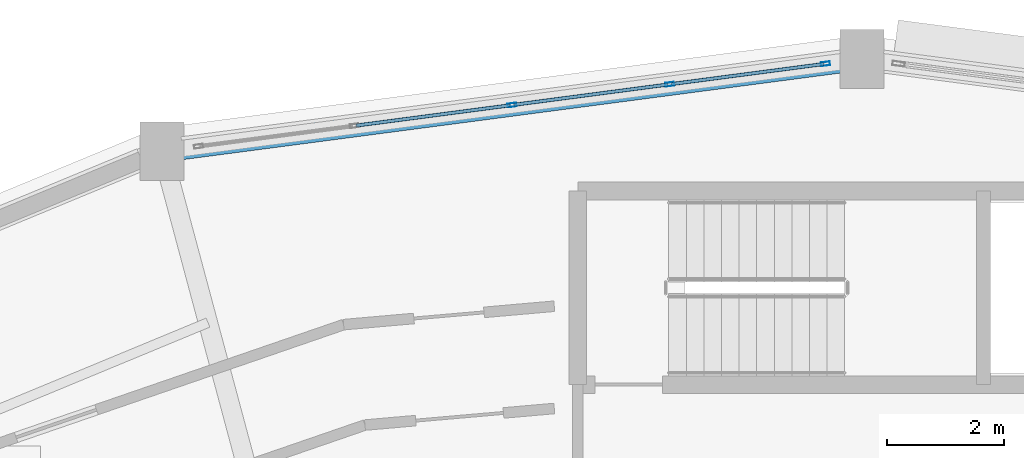
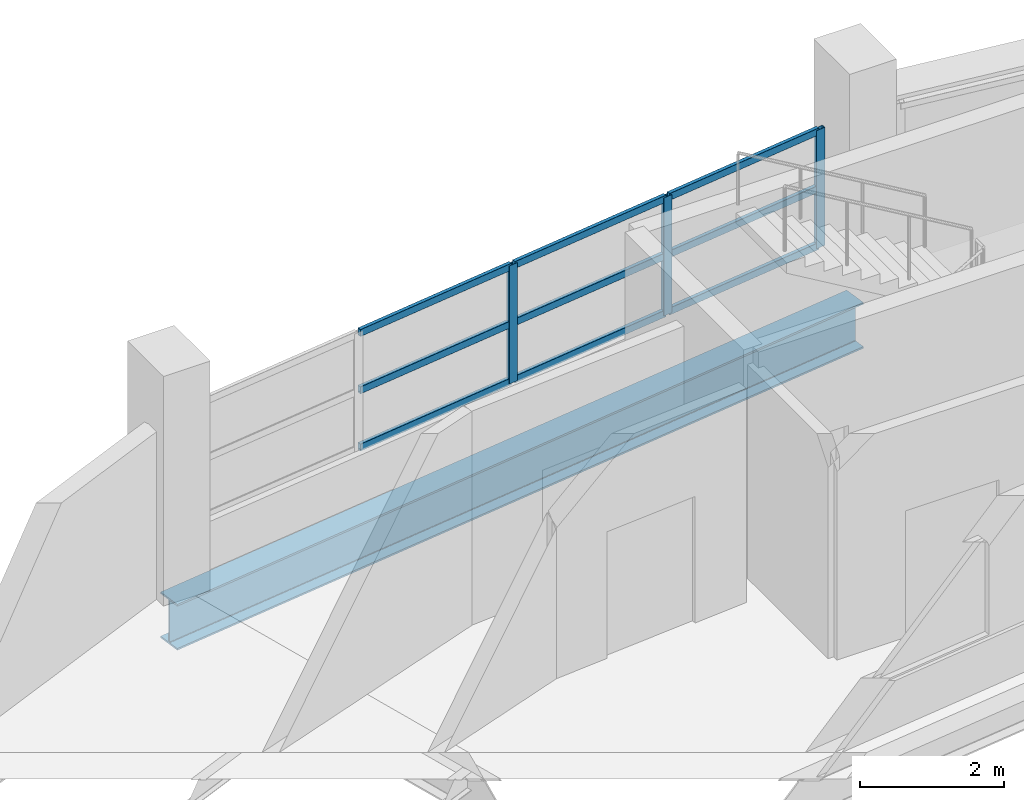
# One storey, part 52 of 88: 12 members, 1 beam, 1 element without a shape of its own.
"""IFC4 building model written with IfcOpenShell, lengths in metres."""

from ifc_helpers import new_model, si_unit, direction, frame, origin, origin_2d, place, context, subcontext, project, spatial, hollow_rectangle, i_section, extrude, material, layer, layer_set, material_profile, profile_set, type_object, element, aggregate, save


model = new_model("IFC4")

# Units and contexts
model_context = context("Model", 3, precision=1e-05, world=origin(), true_north=direction((0.0, 1.0)))
body_context = subcontext(model_context, "Body", "Model", "MODEL_VIEW")
ifc_project = project(units=[si_unit("LENGTHUNIT", "METRE"), si_unit("AREAUNIT", "SQUARE_METRE"), si_unit("VOLUMEUNIT", "CUBIC_METRE"), si_unit("PLANEANGLEUNIT", "RADIAN"), si_unit("MASSUNIT", "GRAM", prefix="KILO")], contexts=[model_context])

# Site, building, storey
site_placement = place(None, origin())
site = spatial("IfcSite", under=ifc_project, at=site_placement, CompositionType="ELEMENT")
building_placement = place(site_placement, origin())
building = spatial("IfcBuilding", under=site, at=building_placement, Name="Vespera Passage Community Centre", CompositionType="ELEMENT")
storey_placement = place(building_placement, frame((0.0, 0.0, 16.5)))
storey = spatial("IfcBuildingStorey", under=building, at=storey_placement, Name="L04", CompositionType="ELEMENT", Elevation=16.5)

# Beam
ifc_material_1 = material(Name="Steel ASTM A992 Grade 50", Category="steel")
ifc_material_profile_1 = material_profile(ifc_material_1, i_section(OverallWidth=0.382080078125, OverallDepth=0.779296875, WebThickness=0.01806640625, FlangeThickness=0.030029296875, FilletRadius=0.0166015625, at=origin_2d()), Name="W30X191")
ifc_profile_set_1 = profile_set([ifc_material_profile_1], Name="Steel ASTM A992 Grade 50")
beam_type = type_object("IfcBeamType", Name="BM-SP-W30X191E", PredefinedType="SPANDREL", material=ifc_profile_set_1)
beam_placement = place(storey_placement, frame((78.0, 111.60009765625, -0.689697265625), z_axis=(-0.991445178667, -0.130523782115, 0.0), x_axis=(0.130523782115, -0.991445178667, 0.0)))
element("IfcBeam", 1, at=beam_placement, inside=storey, type_object=beam_type, Name="V4 L04 Outer Spandrel 6", PredefinedType="SPANDREL", context=body_context, shape_type="SweptSolid", body=[
    extrude(i_section(OverallWidth=0.382080078125, OverallDepth=0.779296875, WebThickness=0.01806640625, FlangeThickness=0.030029296875, FilletRadius=0.0166015625, at=origin_2d()), origin(), (0.0, 0.0, 1.0), 12.03466796875),
])

# Curtain wall, members
ifc_material_2 = material(Name="Anodized aluminium 6063-T6", Category="aluminium")
ifc_layer = layer(ifc_material_2, 0.159912109375)
ifc_layer_set = layer_set([ifc_layer], Name="Anodized aluminium 6063-T6")
curtain_wall_type = type_object("IfcCurtainWallType", Name="CW-59E", PredefinedType="NOTDEFINED", material=ifc_layer_set)
curtain_wall_placement = place(storey_placement, origin())
curtain_wall = element("IfcCurtainWall", 2, at=curtain_wall_placement, inside=storey, type_object=curtain_wall_type, Name="V4 L04 Outer Ribbon Curtain Wall 6", PredefinedType="NOTDEFINED")
ifc_material_3 = material(Name="Anodized aluminium 6063-T6", Category="aluminium")
ifc_material_profile_2 = material_profile(ifc_material_3, hollow_rectangle(XDim=0.06494140625, YDim=0.14990234375, WallThickness=0.00390625, InnerFilletRadius=0.001953125, OuterFilletRadius=0.00390625, at=origin_2d()), Name="ALU150X65X4")
ifc_profile_set_2 = profile_set([ifc_material_profile_2], Name="Anodized aluminium 6063-T6")
member_type_1 = type_object("IfcMemberType", Name="MB-CWM-150E", PredefinedType="MULLION", material=ifc_profile_set_2)
member_1_placement = place(storey_placement, frame((72.0341796875, 110.814697265625, 0.820068359375), z_axis=(0.0, 0.0, 1.0), x_axis=(-0.130530818696, 0.991444252276, 0.0)))
member_1 = element("IfcMember", 3, at=member_1_placement, type_object=member_type_1, Name="CW-59E mullion 3", PredefinedType="MULLION", context=body_context, shape_type="SweptSolid", body=[
    extrude(hollow_rectangle(XDim=0.06494140625, YDim=0.14990234375, WallThickness=0.00390625, InnerFilletRadius=0.001953125, OuterFilletRadius=0.00390625, at=origin_2d()), origin(), (0.0, 0.0, 1.0), 2.005615234375),
])
member_2_placement = place(storey_placement, frame((74.722900390625, 111.168701171875, 0.820068359375), z_axis=(0.0, 0.0, 1.0), x_axis=(-0.130530818696, 0.991444252276, 0.0)))
member_2 = element("IfcMember", 4, at=member_2_placement, type_object=member_type_1, Name="CW-59E mullion 4", PredefinedType="MULLION", context=body_context, shape_type="SweptSolid", body=[
    extrude(hollow_rectangle(XDim=0.06494140625, YDim=0.14990234375, WallThickness=0.00390625, InnerFilletRadius=0.001953125, OuterFilletRadius=0.00390625, at=origin_2d()), origin(), (0.0, 0.0, 1.0), 2.005615234375),
])
member_3_placement = place(storey_placement, frame((77.379638671875, 111.518310546875, 0.820068359375), z_axis=(0.0, 0.0, 1.0), x_axis=(-0.130530818696, 0.991444252276, 0.0)))
member_3 = element("IfcMember", 5, at=member_3_placement, type_object=member_type_1, Name="CW-59E mullion 5", PredefinedType="MULLION", context=body_context, shape_type="SweptSolid", body=[
    extrude(hollow_rectangle(XDim=0.06494140625, YDim=0.14990234375, WallThickness=0.00390625, InnerFilletRadius=0.001953125, OuterFilletRadius=0.00390625, at=origin_2d()), origin(), (0.0, 0.0, 1.0), 2.005615234375),
])
ifc_material_4 = material(Name="Anodized aluminium 6063-T6", Category="aluminium")
ifc_material_profile_3 = material_profile(ifc_material_4, hollow_rectangle(XDim=0.06005859375, YDim=0.1201171875, WallThickness=0.00390625, InnerFilletRadius=0.001953125, OuterFilletRadius=0.00390625, at=origin_2d()), Name="ALU120X60X4")
ifc_profile_set_3 = profile_set([ifc_material_profile_3], Name="Anodized aluminium 6063-T6")
member_type_2 = type_object("IfcMemberType", Name="MB-CWT-120E", PredefinedType="USERDEFINED", material=ifc_profile_set_3)
member_4_placement = place(storey_placement, frame((69.377685546875, 110.46484375, 0.85009765625), z_axis=(0.991446445198, 0.130514161313, 0.0), x_axis=(-0.130514161313, 0.991446445198, 0.0)))
member_4 = element("IfcMember", 6, at=member_4_placement, type_object=member_type_2, Name="CW-59E transom 2.1", ObjectType="TRANSOM", PredefinedType="USERDEFINED", context=body_context, shape_type="SweptSolid", body=[
    extrude(hollow_rectangle(XDim=0.06005859375, YDim=0.1201171875, WallThickness=0.00390625, InnerFilletRadius=0.001953125, OuterFilletRadius=0.00390625, at=origin_2d()), origin(), (0.0, 0.0, 1.0), 2.64697265625),
])
member_5_placement = place(storey_placement, frame((69.377685546875, 110.46484375, 1.82275390625), z_axis=(0.991446445198, 0.130514161313, 0.0), x_axis=(-0.130514161313, 0.991446445198, 0.0)))
member_5 = element("IfcMember", 7, at=member_5_placement, type_object=member_type_2, Name="CW-59E transom 2.2", ObjectType="TRANSOM", PredefinedType="USERDEFINED", context=body_context, shape_type="SweptSolid", body=[
    extrude(hollow_rectangle(XDim=0.06005859375, YDim=0.1201171875, WallThickness=0.00390625, InnerFilletRadius=0.001953125, OuterFilletRadius=0.00390625, at=origin_2d()), origin(), (0.0, 0.0, 1.0), 2.64697265625),
])
member_6_placement = place(storey_placement, frame((69.377685546875, 110.46484375, 2.795654296875), z_axis=(0.991446445198, 0.130514161313, 0.0), x_axis=(-0.130514161313, 0.991446445198, 0.0)))
member_6 = element("IfcMember", 8, at=member_6_placement, type_object=member_type_2, Name="CW-59E transom 2.3", ObjectType="TRANSOM", PredefinedType="USERDEFINED", context=body_context, shape_type="SweptSolid", body=[
    extrude(hollow_rectangle(XDim=0.06005859375, YDim=0.1201171875, WallThickness=0.00390625, InnerFilletRadius=0.001953125, OuterFilletRadius=0.00390625, at=origin_2d()), origin(), (0.0, 0.0, 1.0), 2.64697265625),
])
member_7_placement = place(storey_placement, frame((72.06640625, 110.81884765625, 0.85009765625), z_axis=(0.991446445198, 0.130514161313, 0.0), x_axis=(-0.130514161313, 0.991446445198, 0.0)))
member_7 = element("IfcMember", 9, at=member_7_placement, type_object=member_type_2, Name="CW-59E transom 3.1", ObjectType="TRANSOM", PredefinedType="USERDEFINED", context=body_context, shape_type="SweptSolid", body=[
    extrude(hollow_rectangle(XDim=0.06005859375, YDim=0.1201171875, WallThickness=0.00390625, InnerFilletRadius=0.001953125, OuterFilletRadius=0.00390625, at=origin_2d()), origin(), (0.0, 0.0, 1.0), 2.64697265625),
])
member_8_placement = place(storey_placement, frame((72.06640625, 110.81884765625, 1.82275390625), z_axis=(0.991446445198, 0.130514161313, 0.0), x_axis=(-0.130514161313, 0.991446445198, 0.0)))
member_8 = element("IfcMember", 10, at=member_8_placement, type_object=member_type_2, Name="CW-59E transom 3.2", ObjectType="TRANSOM", PredefinedType="USERDEFINED", context=body_context, shape_type="SweptSolid", body=[
    extrude(hollow_rectangle(XDim=0.06005859375, YDim=0.1201171875, WallThickness=0.00390625, InnerFilletRadius=0.001953125, OuterFilletRadius=0.00390625, at=origin_2d()), origin(), (0.0, 0.0, 1.0), 2.64697265625),
])
member_9_placement = place(storey_placement, frame((72.06640625, 110.81884765625, 2.795654296875), z_axis=(0.991446445198, 0.130514161313, 0.0), x_axis=(-0.130514161313, 0.991446445198, 0.0)))
member_9 = element("IfcMember", 11, at=member_9_placement, type_object=member_type_2, Name="CW-59E transom 3.3", ObjectType="TRANSOM", PredefinedType="USERDEFINED", context=body_context, shape_type="SweptSolid", body=[
    extrude(hollow_rectangle(XDim=0.06005859375, YDim=0.1201171875, WallThickness=0.00390625, InnerFilletRadius=0.001953125, OuterFilletRadius=0.00390625, at=origin_2d()), origin(), (0.0, 0.0, 1.0), 2.64697265625),
])
member_10_placement = place(storey_placement, frame((74.755126953125, 111.1728515625, 0.85009765625), z_axis=(0.991443486455, 0.130536635342, 0.0), x_axis=(-0.130536635342, 0.991443486455, 0.0)))
member_10 = element("IfcMember", 12, at=member_10_placement, type_object=member_type_2, Name="CW-59E transom 4.1", ObjectType="TRANSOM", PredefinedType="USERDEFINED", context=body_context, shape_type="SweptSolid", body=[
    extrude(hollow_rectangle(XDim=0.06005859375, YDim=0.1201171875, WallThickness=0.00390625, InnerFilletRadius=0.001953125, OuterFilletRadius=0.00390625, at=origin_2d()), origin(), (0.0, 0.0, 1.0), 2.61474609375),
])
member_11_placement = place(storey_placement, frame((74.755126953125, 111.1728515625, 1.82275390625), z_axis=(0.991443486455, 0.130536635342, 0.0), x_axis=(-0.130536635342, 0.991443486455, 0.0)))
member_11 = element("IfcMember", 13, at=member_11_placement, type_object=member_type_2, Name="CW-59E transom 4.2", ObjectType="TRANSOM", PredefinedType="USERDEFINED", context=body_context, shape_type="SweptSolid", body=[
    extrude(hollow_rectangle(XDim=0.06005859375, YDim=0.1201171875, WallThickness=0.00390625, InnerFilletRadius=0.001953125, OuterFilletRadius=0.00390625, at=origin_2d()), origin(), (0.0, 0.0, 1.0), 2.61474609375),
])
member_12_placement = place(storey_placement, frame((74.755126953125, 111.1728515625, 2.795654296875), z_axis=(0.991443486455, 0.130536635342, 0.0), x_axis=(-0.130536635342, 0.991443486455, 0.0)))
member_12 = element("IfcMember", 14, at=member_12_placement, type_object=member_type_2, Name="CW-59E transom 4.3", ObjectType="TRANSOM", PredefinedType="USERDEFINED", context=body_context, shape_type="SweptSolid", body=[
    extrude(hollow_rectangle(XDim=0.06005859375, YDim=0.1201171875, WallThickness=0.00390625, InnerFilletRadius=0.001953125, OuterFilletRadius=0.00390625, at=origin_2d()), origin(), (0.0, 0.0, 1.0), 2.61474609375),
])
aggregate(curtain_wall, [member_1, member_2, member_3, member_4, member_5, member_6, member_7, member_8, member_9, member_10, member_11, member_12])

save(model, "model.ifc")
